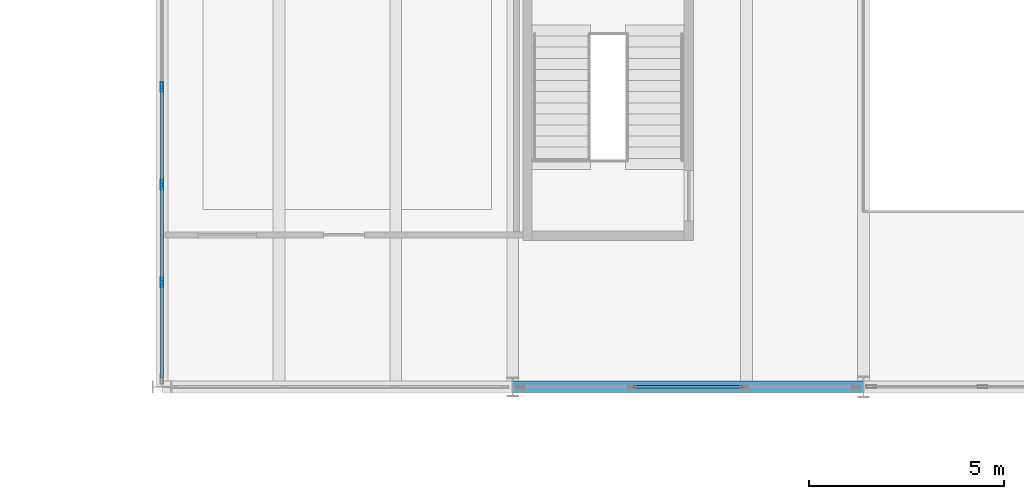
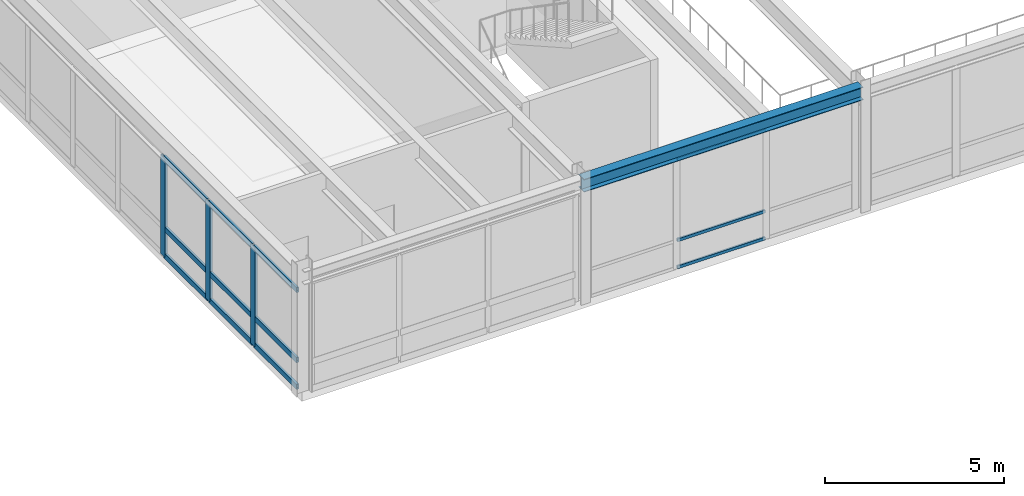
# One storey, part 49 of 127: 15 members, 1 beam, 2 elements without a shape of their own.
"""IFC4 building model written with IfcOpenShell, lengths in metres."""

from ifc_helpers import new_model, si_unit, direction, frame, origin, origin_2d, place, context, subcontext, project, spatial, hollow_rectangle, i_section, extrude, material, layer, layer_set, material_profile, profile_set, type_object, element, aggregate, save


model = new_model("IFC4")

# Units and contexts
model_context = context("Model", 3, precision=1e-05, world=origin(), true_north=direction((0.0, 1.0)))
body_context = subcontext(model_context, "Body", "Model", "MODEL_VIEW")
ifc_project = project(units=[si_unit("LENGTHUNIT", "METRE"), si_unit("AREAUNIT", "SQUARE_METRE"), si_unit("VOLUMEUNIT", "CUBIC_METRE"), si_unit("PLANEANGLEUNIT", "RADIAN"), si_unit("MASSUNIT", "GRAM", prefix="KILO")], contexts=[model_context])

# Site, building, storey
site_placement = place(None, origin())
site = spatial("IfcSite", under=ifc_project, at=site_placement, CompositionType="ELEMENT")
building_placement = place(site_placement, origin())
building = spatial("IfcBuilding", under=site, at=building_placement, Name="Montelvaro Courts of Justice", CompositionType="ELEMENT")
storey_placement = place(building_placement, frame((0.0, 0.0, 5.39990234375)))
storey = spatial("IfcBuildingStorey", under=building, at=storey_placement, Name="L01", CompositionType="ELEMENT", Elevation=5.39990234375)

# Beam
ifc_material_1 = material(Name="Steel S355", Category="steel")
ifc_material_profile_1 = material_profile(ifc_material_1, i_section(OverallWidth=0.300048828125, OverallDepth=0.43994140625, WebThickness=0.011474609375, FlangeThickness=0.02099609375, at=origin_2d()), Name="HEA 450")
ifc_profile_set_1 = profile_set([ifc_material_profile_1], Name="Steel S355")
beam_type = type_object("IfcBeamType", Name="Beam_HEA450", PredefinedType="USERDEFINED", material=ifc_profile_set_1)
beam_placement = place(storey_placement, frame((27.0, 78.0, 3.960205078125), z_axis=(1.0, 0.0, 0.0), x_axis=(0.0, 1.0, 0.0)))
element("IfcBeam", 1, at=beam_placement, inside=storey, type_object=beam_type, Name="Beam B-18 L01", ObjectType="GIRDER", PredefinedType="USERDEFINED", context=body_context, shape_type="SweptSolid", body=[
    extrude(i_section(OverallWidth=0.300048828125, OverallDepth=0.43994140625, WebThickness=0.011474609375, FlangeThickness=0.02099609375, at=origin_2d()), origin(), (0.0, 0.0, 1.0), 9.0),
])

# Curtain wall, members
ifc_material_2 = material(Name="Anodised aluminium EN AW-6063", Category="aluminium")
ifc_layer_1 = layer(ifc_material_2, 0.159912109375)
ifc_layer_set_1 = layer_set([ifc_layer_1], Name="Anodised aluminium EN AW-6063")
curtain_wall_type_1 = type_object("IfcCurtainWallType", Name="CurtainWall_20_1757x418", PredefinedType="USERDEFINED", material=ifc_layer_set_1)
curtain_wall_1_placement = place(storey_placement, origin())
curtain_wall_1 = element("IfcCurtainWall", 2, at=curtain_wall_1_placement, inside=storey, type_object=curtain_wall_type_1, Name="Curtain Wall CW-20 (L01)", ObjectType="CURTAIN WALL", PredefinedType="USERDEFINED")
ifc_material_profile_2 = material_profile(ifc_material_2, hollow_rectangle(XDim=0.074951171875, YDim=0.25, WallThickness=0.005615234375, at=origin_2d()), Name="ALU-M 75x250")
ifc_profile_set_2 = profile_set([ifc_material_profile_2], Name="Anodised aluminium EN AW-6063")
member_type_1 = type_object("IfcMemberType", Name="CurtainWall_Mullion_75x250", PredefinedType="MULLION", material=ifc_profile_set_2)
member_1_placement = place(storey_placement, frame((18.0, 85.695068359375, 0.0), z_axis=(0.0, 0.0, 1.0), x_axis=(1.0, 0.0, 0.0)))
member_1 = element("IfcMember", 3, at=member_1_placement, type_object=member_type_1, Name="CW-20 mullion 5", PredefinedType="MULLION", context=body_context, shape_type="SweptSolid", body=[
    extrude(hollow_rectangle(XDim=0.074951171875, YDim=0.25, WallThickness=0.005615234375, at=origin_2d()), origin(), (0.0, 0.0, 1.0), 3.375),
])
member_2_placement = place(storey_placement, frame((18.0, 83.18505859375, 0.0), z_axis=(0.0, 0.0, 1.0), x_axis=(1.0, 0.0, 0.0)))
member_2 = element("IfcMember", 4, at=member_2_placement, type_object=member_type_1, Name="CW-20 mullion 6", PredefinedType="MULLION", context=body_context, shape_type="SweptSolid", body=[
    extrude(hollow_rectangle(XDim=0.074951171875, YDim=0.25, WallThickness=0.005615234375, at=origin_2d()), origin(), (0.0, 0.0, 1.0), 3.375),
])
member_3_placement = place(storey_placement, frame((18.0, 80.675048828125, 0.0), z_axis=(0.0, 0.0, 1.0), x_axis=(1.0, 0.0, 0.0)))
member_3 = element("IfcMember", 5, at=member_3_placement, type_object=member_type_1, Name="CW-20 mullion 7", PredefinedType="MULLION", context=body_context, shape_type="SweptSolid", body=[
    extrude(hollow_rectangle(XDim=0.074951171875, YDim=0.25, WallThickness=0.005615234375, at=origin_2d()), origin(), (0.0, 0.0, 1.0), 3.375),
])

ifc_layer_2 = layer(ifc_material_2, 0.159912109375)
ifc_layer_set_2 = layer_set([ifc_layer_2], Name="Anodised aluminium EN AW-6063")
curtain_wall_type_2 = type_object("IfcCurtainWallType", Name="CurtainWall_14_867x418", PredefinedType="USERDEFINED", material=ifc_layer_set_2)
curtain_wall_2_placement = place(storey_placement, origin())
curtain_wall_2 = element("IfcCurtainWall", 6, at=curtain_wall_2_placement, inside=storey, type_object=curtain_wall_type_2, Name="Curtain Wall CW-14 (L01)", ObjectType="CURTAIN WALL", PredefinedType="USERDEFINED")
ifc_material_profile_3 = material_profile(ifc_material_2, hollow_rectangle(XDim=0.06005859375, YDim=0.10009765625, WallThickness=0.00341796875, at=origin_2d()), Name="ALU-T 60x100")
ifc_profile_set_3 = profile_set([ifc_material_profile_3], Name="Anodised aluminium EN AW-6063")
member_type_2 = type_object("IfcMemberType", Name="CurtainWall_Transom_60x100", PredefinedType="USERDEFINED", material=ifc_profile_set_3)
member_4_placement = place(storey_placement, frame((30.08740234375, 78.0, 0.030029296875), z_axis=(1.0, 0.0, 0.0), x_axis=(0.0, 1.0, 0.0)))
member_4 = element("IfcMember", 7, at=member_4_placement, type_object=member_type_2, Name="CW-14 transom 2.1", ObjectType="TRANSOM", PredefinedType="USERDEFINED", context=body_context, shape_type="SweptSolid", body=[
    extrude(hollow_rectangle(XDim=0.06005859375, YDim=0.10009765625, WallThickness=0.00341796875, at=origin_2d()), origin(), (0.0, 0.0, 1.0), 2.8251953125),
])
member_5_placement = place(storey_placement, frame((30.08740234375, 78.0, 0.9501953125), z_axis=(1.0, 0.0, 0.0), x_axis=(0.0, 1.0, 0.0)))
member_5 = element("IfcMember", 8, at=member_5_placement, type_object=member_type_2, Name="CW-14 transom 2.2", ObjectType="TRANSOM", PredefinedType="USERDEFINED", context=body_context, shape_type="SweptSolid", body=[
    extrude(hollow_rectangle(XDim=0.06005859375, YDim=0.10009765625, WallThickness=0.00341796875, at=origin_2d()), origin(), (0.0, 0.0, 1.0), 2.8251953125),
])
member_6_placement = place(storey_placement, frame((30.08740234375, 78.0, 3.705078125), z_axis=(1.0, 0.0, 0.0), x_axis=(0.0, 1.0, 0.0)))
member_6 = element("IfcMember", 9, at=member_6_placement, type_object=member_type_2, Name="CW-14 transom 2.3", ObjectType="TRANSOM", PredefinedType="USERDEFINED", context=body_context, shape_type="SweptSolid", body=[
    extrude(hollow_rectangle(XDim=0.06005859375, YDim=0.10009765625, WallThickness=0.00341796875, at=origin_2d()), origin(), (0.0, 0.0, 1.0), 2.8251953125),
])
aggregate(curtain_wall_2, [member_4, member_5, member_6])

# Member
ifc_material_profile_4 = material_profile(ifc_material_2, hollow_rectangle(XDim=0.074951171875, YDim=0.179931640625, WallThickness=0.0048828125, at=origin_2d()), Name="ALU-T 75x180")
ifc_profile_set_4 = profile_set([ifc_material_profile_4], Name="Anodised aluminium EN AW-6063")
member_type_3 = type_object("IfcMemberType", Name="CurtainWall_Transom_75x180", PredefinedType="USERDEFINED", material=ifc_profile_set_4)
member_7_placement = place(storey_placement, frame((18.0, 85.657470703125, 0.03759765625), z_axis=(0.0, -1.0, 0.0), x_axis=(1.0, 0.0, 0.0)))
member_7 = element("IfcMember", 10, at=member_7_placement, type_object=member_type_3, Name="CW-20 transom 5.1", ObjectType="TRANSOM", PredefinedType="USERDEFINED", context=body_context, shape_type="SweptSolid", body=[
    extrude(hollow_rectangle(XDim=0.074951171875, YDim=0.179931640625, WallThickness=0.0048828125, at=origin_2d()), origin(), (0.0, 0.0, 1.0), 2.43505859375),
])

member_8_placement = place(storey_placement, frame((18.0, 85.657470703125, 0.9501953125), z_axis=(0.0, -1.0, 0.0), x_axis=(1.0, 0.0, 0.0)))
member_8 = element("IfcMember", 11, at=member_8_placement, type_object=member_type_3, Name="CW-20 transom 5.2", ObjectType="TRANSOM", PredefinedType="USERDEFINED", context=body_context, shape_type="SweptSolid", body=[
    extrude(hollow_rectangle(XDim=0.074951171875, YDim=0.179931640625, WallThickness=0.0048828125, at=origin_2d()), origin(), (0.0, 0.0, 1.0), 2.43505859375),
])

member_9_placement = place(storey_placement, frame((18.0, 85.657470703125, 3.337646484375), z_axis=(0.0, -1.0, 0.0), x_axis=(1.0, 0.0, 0.0)))
member_9 = element("IfcMember", 12, at=member_9_placement, type_object=member_type_3, Name="CW-20 transom 5.3", ObjectType="TRANSOM", PredefinedType="USERDEFINED", context=body_context, shape_type="SweptSolid", body=[
    extrude(hollow_rectangle(XDim=0.074951171875, YDim=0.179931640625, WallThickness=0.0048828125, at=origin_2d()), origin(), (0.0, 0.0, 1.0), 2.43505859375),
])

member_10_placement = place(storey_placement, frame((18.0, 83.1474609375, 0.03759765625), z_axis=(0.0, -1.0, 0.0), x_axis=(1.0, 0.0, 0.0)))
member_10 = element("IfcMember", 13, at=member_10_placement, type_object=member_type_3, Name="CW-20 transom 6.1", ObjectType="TRANSOM", PredefinedType="USERDEFINED", context=body_context, shape_type="SweptSolid", body=[
    extrude(hollow_rectangle(XDim=0.074951171875, YDim=0.179931640625, WallThickness=0.0048828125, at=origin_2d()), origin(), (0.0, 0.0, 1.0), 2.43505859375),
])

member_11_placement = place(storey_placement, frame((18.0, 83.1474609375, 0.9501953125), z_axis=(0.0, -1.0, 0.0), x_axis=(1.0, 0.0, 0.0)))
member_11 = element("IfcMember", 14, at=member_11_placement, type_object=member_type_3, Name="CW-20 transom 6.2", ObjectType="TRANSOM", PredefinedType="USERDEFINED", context=body_context, shape_type="SweptSolid", body=[
    extrude(hollow_rectangle(XDim=0.074951171875, YDim=0.179931640625, WallThickness=0.0048828125, at=origin_2d()), origin(), (0.0, 0.0, 1.0), 2.43505859375),
])

member_12_placement = place(storey_placement, frame((18.0, 83.1474609375, 3.337646484375), z_axis=(0.0, -1.0, 0.0), x_axis=(1.0, 0.0, 0.0)))
member_12 = element("IfcMember", 15, at=member_12_placement, type_object=member_type_3, Name="CW-20 transom 6.3", ObjectType="TRANSOM", PredefinedType="USERDEFINED", context=body_context, shape_type="SweptSolid", body=[
    extrude(hollow_rectangle(XDim=0.074951171875, YDim=0.179931640625, WallThickness=0.0048828125, at=origin_2d()), origin(), (0.0, 0.0, 1.0), 2.43505859375),
])

member_13_placement = place(storey_placement, frame((18.0, 80.637451171875, 0.03759765625), z_axis=(0.0, -1.0, 0.0), x_axis=(1.0, 0.0, 0.0)))
member_13 = element("IfcMember", 16, at=member_13_placement, type_object=member_type_3, Name="CW-20 transom 7.1", ObjectType="TRANSOM", PredefinedType="USERDEFINED", context=body_context, shape_type="SweptSolid", body=[
    extrude(hollow_rectangle(XDim=0.074951171875, YDim=0.179931640625, WallThickness=0.0048828125, at=origin_2d()), origin(), (0.0, 0.0, 1.0), 2.3974609375),
])

member_14_placement = place(storey_placement, frame((18.0, 80.637451171875, 0.9501953125), z_axis=(0.0, -1.0, 0.0), x_axis=(1.0, 0.0, 0.0)))
member_14 = element("IfcMember", 17, at=member_14_placement, type_object=member_type_3, Name="CW-20 transom 7.2", ObjectType="TRANSOM", PredefinedType="USERDEFINED", context=body_context, shape_type="SweptSolid", body=[
    extrude(hollow_rectangle(XDim=0.074951171875, YDim=0.179931640625, WallThickness=0.0048828125, at=origin_2d()), origin(), (0.0, 0.0, 1.0), 2.3974609375),
])

member_15_placement = place(storey_placement, frame((18.0, 80.637451171875, 3.337646484375), z_axis=(0.0, -1.0, 0.0), x_axis=(1.0, 0.0, 0.0)))
member_15 = element("IfcMember", 18, at=member_15_placement, type_object=member_type_3, Name="CW-20 transom 7.3", ObjectType="TRANSOM", PredefinedType="USERDEFINED", context=body_context, shape_type="SweptSolid", body=[
    extrude(hollow_rectangle(XDim=0.074951171875, YDim=0.179931640625, WallThickness=0.0048828125, at=origin_2d()), origin(), (0.0, 0.0, 1.0), 2.3974609375),
])

aggregate(curtain_wall_1, [member_1, member_2, member_3, member_7, member_8, member_9, member_10, member_11, member_12, member_13, member_14, member_15])

save(model, "model.ifc")
